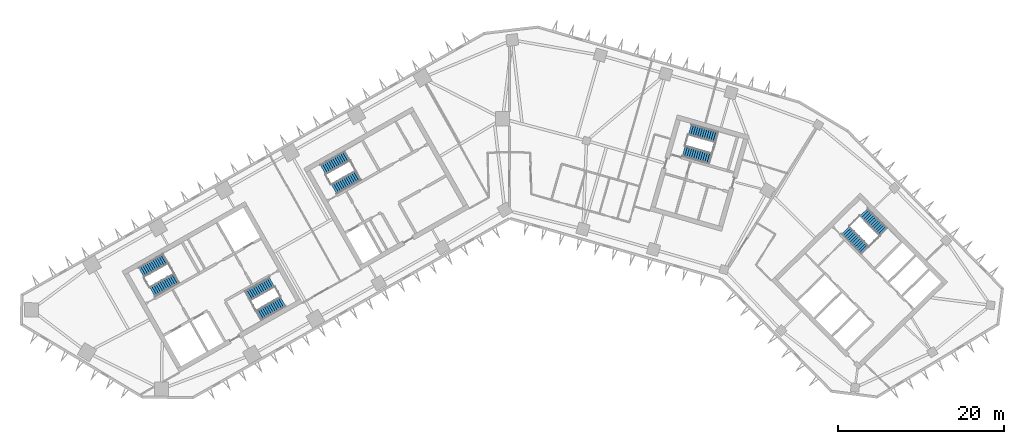
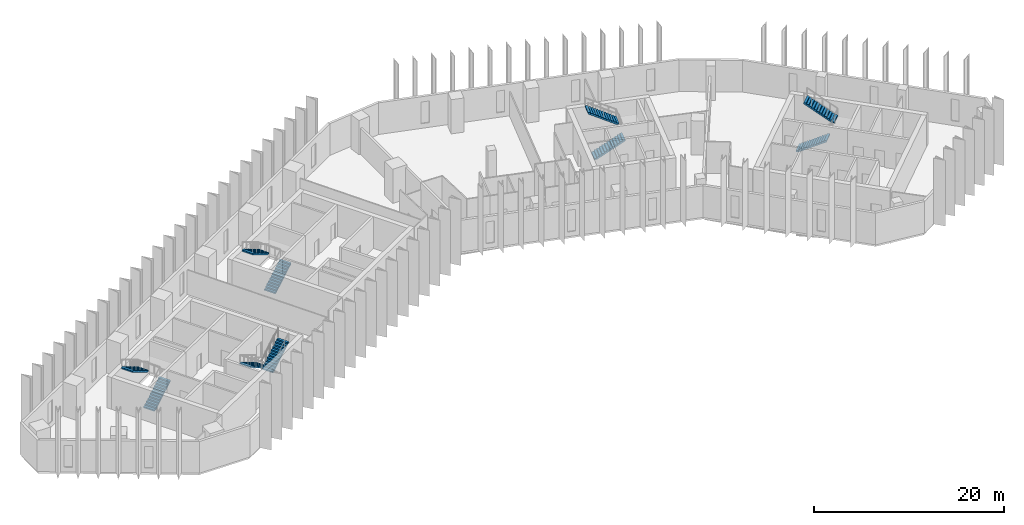
# One storey, part 8 of 11: 10 stair flights, 5 elements without a shape of their own.
"""IFC4 building model written with IfcOpenShell, lengths in metres."""

from ifc_helpers import new_model, si_unit, direction, frame, origin, place, context, subcontext, project, spatial, polyline, outline, extrude, material, type_object, element, aggregate, save


model = new_model("IFC4")

# Units and contexts
model_context = context("Model", 3, precision=1e-05, world=origin(), true_north=direction((0.0, 1.0)))
body_context = subcontext(model_context, "Body", "Model", "MODEL_VIEW")
ifc_project = project(units=[si_unit("LENGTHUNIT", "METRE"), si_unit("AREAUNIT", "SQUARE_METRE"), si_unit("VOLUMEUNIT", "CUBIC_METRE"), si_unit("PLANEANGLEUNIT", "RADIAN"), si_unit("MASSUNIT", "GRAM", prefix="KILO")], contexts=[model_context])

# Site, building, storey
site_placement = place(None, origin())
site = spatial("IfcSite", under=ifc_project, at=site_placement, CompositionType="ELEMENT")
building_placement = place(site_placement, origin())
building = spatial("IfcBuilding", under=site, at=building_placement, Name="Binnacle Exchange Tower", CompositionType="ELEMENT")
storey_placement = place(building_placement, frame((0.0, 0.0, 105.89990234375)))
storey = spatial("IfcBuildingStorey", under=building, at=storey_placement, Name="L21", CompositionType="ELEMENT", Elevation=105.89990234375)

# Stair, stair flights
ifc_material = material(Name="Concrete C35/45", Category="concrete")
stair_type = type_object("IfcStairType", Name="STAIR 26 RISERS 169", PredefinedType="HALF_TURN_STAIR", material=ifc_material)
stair_1_placement = place(storey_placement, origin())
stair_1 = element("IfcStair", 1, at=stair_1_placement, inside=storey, type_object=stair_type, Name="L21 Escape stair A1", PredefinedType="HALF_TURN_STAIR")
stair_flight_type = type_object("IfcStairFlightType", Name="STAIR FLIGHT 169X280", PredefinedType="STRAIGHT", material=ifc_material)
stair_flight_1_placement = place(storey_placement, frame((-42.9541015625, 39.17333984375, 0.0), z_axis=(0.0, 0.0, 1.0), x_axis=(0.870355584213, 0.492423757581, 0.0)))
stair_flight_1 = element("IfcStairFlight", 2, at=stair_flight_1_placement, type_object=stair_flight_type, Name="STA1 flight 1", NumberOfRisers=13, NumberOfTreads=12, PredefinedType="STRAIGHT", RiserHeight=0.169230769, TreadLength=0.28, context=body_context, shape_type="SweptSolid", body=[
    extrude(outline(polyline([(0.0, 0.0), (0.0, 0.169189453125), (0.280029296875, 0.169189453125), (0.280029296875, 0.33837890625), (0.56005859375, 0.33837890625), (0.56005859375, 0.5078125), (0.840087890625, 0.5078125), (0.840087890625, 0.677001953125), (1.1201171875, 0.677001953125), (1.1201171875, 0.84619140625), (1.39990234375, 0.84619140625), (1.39990234375, 1.015380859375), (1.679931640625, 1.015380859375), (1.679931640625, 1.1845703125), (1.9599609375, 1.1845703125), (1.9599609375, 1.353759765625), (2.239990234375, 1.353759765625), (2.239990234375, 1.523193359375), (2.52001953125, 1.523193359375), (2.52001953125, 1.6923828125), (2.800048828125, 1.6923828125), (2.800048828125, 1.861572265625), (3.080078125, 1.861572265625), (3.080078125, 2.03076171875), (3.360107421875, 2.03076171875), (3.360107421875, 2.199951171875), (3.360107421875, 1.855712890625), (0.289794921875, 0.0), (0.0, 0.0)])), frame((0.0, 0.675048828125, 0.0), z_axis=(0.0, -1.0, 0.0), x_axis=(1.0, 0.0, 0.0)), (0.0, 0.0, 1.0), 1.35009765625),
])
stair_flight_2_placement = place(storey_placement, frame((-41.359130859375, 43.177978515625, 2.2001953125), z_axis=(0.0, 0.0, 1.0), x_axis=(-0.870355584213, -0.492423757581, 0.0)))
stair_flight_2 = element("IfcStairFlight", 3, at=stair_flight_2_placement, type_object=stair_flight_type, Name="STA1 flight 2", NumberOfRisers=13, NumberOfTreads=12, PredefinedType="STRAIGHT", RiserHeight=0.169230769, TreadLength=0.28, context=body_context, shape_type="SweptSolid", body=[
    extrude(outline(polyline([(0.0, 0.0), (0.0, 0.169189453125), (0.280029296875, 0.169189453125), (0.280029296875, 0.33837890625), (0.56005859375, 0.33837890625), (0.56005859375, 0.5078125), (0.840087890625, 0.5078125), (0.840087890625, 0.677001953125), (1.1201171875, 0.677001953125), (1.1201171875, 0.84619140625), (1.39990234375, 0.84619140625), (1.39990234375, 1.015380859375), (1.679931640625, 1.015380859375), (1.679931640625, 1.1845703125), (1.9599609375, 1.1845703125), (1.9599609375, 1.353759765625), (2.239990234375, 1.353759765625), (2.239990234375, 1.523193359375), (2.52001953125, 1.523193359375), (2.52001953125, 1.6923828125), (2.800048828125, 1.6923828125), (2.800048828125, 1.861572265625), (3.080078125, 1.861572265625), (3.080078125, 2.03076171875), (3.360107421875, 2.03076171875), (3.360107421875, 2.199951171875), (3.360107421875, 1.855712890625), (0.289794921875, 0.0), (0.0, 0.0)])), frame((0.0, 0.675048828125, 0.0), z_axis=(0.0, -1.0, 0.0), x_axis=(1.0, 0.0, 0.0)), (0.0, 0.0, 1.0), 1.35009765625),
])
aggregate(stair_1, [stair_flight_1, stair_flight_2])

stair_2_placement = place(storey_placement, origin())
stair_2 = element("IfcStair", 4, at=stair_2_placement, inside=storey, type_object=stair_type, Name="L21 Escape stair A2", PredefinedType="HALF_TURN_STAIR")
stair_flight_3_placement = place(storey_placement, frame((-28.5732421875, 40.3583984375, 0.0), z_axis=(0.0, 0.0, 1.0), x_axis=(-0.870355584213, -0.492423757581, 0.0)))
stair_flight_3 = element("IfcStairFlight", 5, at=stair_flight_3_placement, type_object=stair_flight_type, Name="STA2 flight 1", NumberOfRisers=13, NumberOfTreads=12, PredefinedType="STRAIGHT", RiserHeight=0.169230769, TreadLength=0.28, context=body_context, shape_type="SweptSolid", body=[
    extrude(outline(polyline([(0.0, 0.0), (0.0, 0.169189453125), (0.280029296875, 0.169189453125), (0.280029296875, 0.33837890625), (0.56005859375, 0.33837890625), (0.56005859375, 0.5078125), (0.840087890625, 0.5078125), (0.840087890625, 0.677001953125), (1.1201171875, 0.677001953125), (1.1201171875, 0.84619140625), (1.39990234375, 0.84619140625), (1.39990234375, 1.015380859375), (1.679931640625, 1.015380859375), (1.679931640625, 1.1845703125), (1.9599609375, 1.1845703125), (1.9599609375, 1.353759765625), (2.239990234375, 1.353759765625), (2.239990234375, 1.523193359375), (2.52001953125, 1.523193359375), (2.52001953125, 1.6923828125), (2.800048828125, 1.6923828125), (2.800048828125, 1.861572265625), (3.080078125, 1.861572265625), (3.080078125, 2.03076171875), (3.360107421875, 2.03076171875), (3.360107421875, 2.199951171875), (3.360107421875, 1.855712890625), (0.289794921875, 0.0), (0.0, 0.0)])), frame((0.0, 0.675048828125, 0.0), z_axis=(0.0, -1.0, 0.0), x_axis=(1.0, 0.0, 0.0)), (0.0, 0.0, 1.0), 1.35009765625),
])
stair_flight_4_placement = place(storey_placement, frame((-30.16796875, 36.35400390625, 2.2001953125), z_axis=(0.0, 0.0, 1.0), x_axis=(0.870355584213, 0.492423757581, 0.0)))
stair_flight_4 = element("IfcStairFlight", 6, at=stair_flight_4_placement, type_object=stair_flight_type, Name="STA2 flight 2", NumberOfRisers=13, NumberOfTreads=12, PredefinedType="STRAIGHT", RiserHeight=0.169230769, TreadLength=0.28, context=body_context, shape_type="SweptSolid", body=[
    extrude(outline(polyline([(0.0, 0.0), (0.0, 0.169189453125), (0.280029296875, 0.169189453125), (0.280029296875, 0.33837890625), (0.56005859375, 0.33837890625), (0.56005859375, 0.5078125), (0.840087890625, 0.5078125), (0.840087890625, 0.677001953125), (1.1201171875, 0.677001953125), (1.1201171875, 0.84619140625), (1.39990234375, 0.84619140625), (1.39990234375, 1.015380859375), (1.679931640625, 1.015380859375), (1.679931640625, 1.1845703125), (1.9599609375, 1.1845703125), (1.9599609375, 1.353759765625), (2.239990234375, 1.353759765625), (2.239990234375, 1.523193359375), (2.52001953125, 1.523193359375), (2.52001953125, 1.6923828125), (2.800048828125, 1.6923828125), (2.800048828125, 1.861572265625), (3.080078125, 1.861572265625), (3.080078125, 2.03076171875), (3.360107421875, 2.03076171875), (3.360107421875, 2.199951171875), (3.360107421875, 1.855712890625), (0.289794921875, 0.0), (0.0, 0.0)])), frame((0.0, 0.675048828125, 0.0), z_axis=(0.0, -1.0, 0.0), x_axis=(1.0, 0.0, 0.0)), (0.0, 0.0, 1.0), 1.35009765625),
])
aggregate(stair_2, [stair_flight_3, stair_flight_4])

stair_3_placement = place(storey_placement, origin())
stair_3 = element("IfcStair", 7, at=stair_3_placement, inside=storey, type_object=stair_type, Name="L21 Escape stair B1", PredefinedType="HALF_TURN_STAIR")
stair_flight_5_placement = place(storey_placement, frame((40.376708984375, 46.608642578125, 0.0), z_axis=(0.0, 0.0, 1.0), x_axis=(0.70090935144, -0.713250363522, 0.0)))
stair_flight_5 = element("IfcStairFlight", 8, at=stair_flight_5_placement, type_object=stair_flight_type, Name="STB1 flight 1", NumberOfRisers=13, NumberOfTreads=12, PredefinedType="STRAIGHT", RiserHeight=0.169230769, TreadLength=0.28, context=body_context, shape_type="SweptSolid", body=[
    extrude(outline(polyline([(0.0, 0.0), (0.0, 0.169189453125), (0.280029296875, 0.169189453125), (0.280029296875, 0.33837890625), (0.56005859375, 0.33837890625), (0.56005859375, 0.5078125), (0.840087890625, 0.5078125), (0.840087890625, 0.677001953125), (1.1201171875, 0.677001953125), (1.1201171875, 0.84619140625), (1.39990234375, 0.84619140625), (1.39990234375, 1.015380859375), (1.679931640625, 1.015380859375), (1.679931640625, 1.1845703125), (1.9599609375, 1.1845703125), (1.9599609375, 1.353759765625), (2.239990234375, 1.353759765625), (2.239990234375, 1.523193359375), (2.52001953125, 1.523193359375), (2.52001953125, 1.6923828125), (2.800048828125, 1.6923828125), (2.800048828125, 1.861572265625), (3.080078125, 1.861572265625), (3.080078125, 2.03076171875), (3.360107421875, 2.03076171875), (3.360107421875, 2.199951171875), (3.360107421875, 1.855712890625), (0.289794921875, 0.0), (0.0, 0.0)])), frame((0.0, 0.675048828125, 0.0), z_axis=(0.0, -1.0, 0.0), x_axis=(1.0, 0.0, 0.0)), (0.0, 0.0, 1.0), 1.35009765625),
])
stair_flight_6_placement = place(storey_placement, frame((44.94287109375, 46.385009765625, 2.2001953125), z_axis=(0.0, 0.0, 1.0), x_axis=(-0.70090935144, 0.713250363522, 0.0)))
stair_flight_6 = element("IfcStairFlight", 9, at=stair_flight_6_placement, type_object=stair_flight_type, Name="STB1 flight 2", NumberOfRisers=13, NumberOfTreads=12, PredefinedType="STRAIGHT", RiserHeight=0.169230769, TreadLength=0.28, context=body_context, shape_type="SweptSolid", body=[
    extrude(outline(polyline([(0.0, 0.0), (0.0, 0.169189453125), (0.280029296875, 0.169189453125), (0.280029296875, 0.33837890625), (0.56005859375, 0.33837890625), (0.56005859375, 0.5078125), (0.840087890625, 0.5078125), (0.840087890625, 0.677001953125), (1.1201171875, 0.677001953125), (1.1201171875, 0.84619140625), (1.39990234375, 0.84619140625), (1.39990234375, 1.015380859375), (1.679931640625, 1.015380859375), (1.679931640625, 1.1845703125), (1.9599609375, 1.1845703125), (1.9599609375, 1.353759765625), (2.239990234375, 1.353759765625), (2.239990234375, 1.523193359375), (2.52001953125, 1.523193359375), (2.52001953125, 1.6923828125), (2.800048828125, 1.6923828125), (2.800048828125, 1.861572265625), (3.080078125, 1.861572265625), (3.080078125, 2.03076171875), (3.360107421875, 2.03076171875), (3.360107421875, 2.199951171875), (3.360107421875, 1.855712890625), (0.289794921875, 0.0), (0.0, 0.0)])), frame((0.0, 0.675048828125, 0.0), z_axis=(0.0, -1.0, 0.0), x_axis=(1.0, 0.0, 0.0)), (0.0, 0.0, 1.0), 1.35009765625),
])
aggregate(stair_3, [stair_flight_5, stair_flight_6])

stair_4_placement = place(storey_placement, origin())
stair_4 = element("IfcStair", 10, at=stair_4_placement, inside=storey, type_object=stair_type, Name="L21 Escape stair C1", PredefinedType="HALF_TURN_STAIR")
stair_flight_7_placement = place(storey_placement, frame((-21.115966796875, 51.528564453125, 0.0), z_axis=(0.0, 0.0, 1.0), x_axis=(0.870355584213, 0.492423757581, 0.0)))
stair_flight_7 = element("IfcStairFlight", 11, at=stair_flight_7_placement, type_object=stair_flight_type, Name="STC1 flight 1", NumberOfRisers=13, NumberOfTreads=12, PredefinedType="STRAIGHT", RiserHeight=0.169230769, TreadLength=0.28, context=body_context, shape_type="SweptSolid", body=[
    extrude(outline(polyline([(0.0, 0.0), (0.0, 0.169189453125), (0.280029296875, 0.169189453125), (0.280029296875, 0.33837890625), (0.56005859375, 0.33837890625), (0.56005859375, 0.5078125), (0.840087890625, 0.5078125), (0.840087890625, 0.677001953125), (1.1201171875, 0.677001953125), (1.1201171875, 0.84619140625), (1.39990234375, 0.84619140625), (1.39990234375, 1.015380859375), (1.679931640625, 1.015380859375), (1.679931640625, 1.1845703125), (1.9599609375, 1.1845703125), (1.9599609375, 1.353759765625), (2.239990234375, 1.353759765625), (2.239990234375, 1.523193359375), (2.52001953125, 1.523193359375), (2.52001953125, 1.6923828125), (2.800048828125, 1.6923828125), (2.800048828125, 1.861572265625), (3.080078125, 1.861572265625), (3.080078125, 2.03076171875), (3.360107421875, 2.03076171875), (3.360107421875, 2.199951171875), (3.360107421875, 1.855712890625), (0.289794921875, 0.0), (0.0, 0.0)])), frame((0.0, 0.675048828125, 0.0), z_axis=(0.0, -1.0, 0.0), x_axis=(1.0, 0.0, 0.0)), (0.0, 0.0, 1.0), 1.35009765625),
])
stair_flight_8_placement = place(storey_placement, frame((-19.521240234375, 55.533203125, 2.2001953125), z_axis=(0.0, 0.0, 1.0), x_axis=(-0.870355584213, -0.492423757581, 0.0)))
stair_flight_8 = element("IfcStairFlight", 12, at=stair_flight_8_placement, type_object=stair_flight_type, Name="STC1 flight 2", NumberOfRisers=13, NumberOfTreads=12, PredefinedType="STRAIGHT", RiserHeight=0.169230769, TreadLength=0.28, context=body_context, shape_type="SweptSolid", body=[
    extrude(outline(polyline([(0.0, 0.0), (0.0, 0.169189453125), (0.280029296875, 0.169189453125), (0.280029296875, 0.33837890625), (0.56005859375, 0.33837890625), (0.56005859375, 0.5078125), (0.840087890625, 0.5078125), (0.840087890625, 0.677001953125), (1.1201171875, 0.677001953125), (1.1201171875, 0.84619140625), (1.39990234375, 0.84619140625), (1.39990234375, 1.015380859375), (1.679931640625, 1.015380859375), (1.679931640625, 1.1845703125), (1.9599609375, 1.1845703125), (1.9599609375, 1.353759765625), (2.239990234375, 1.353759765625), (2.239990234375, 1.523193359375), (2.52001953125, 1.523193359375), (2.52001953125, 1.6923828125), (2.800048828125, 1.6923828125), (2.800048828125, 1.861572265625), (3.080078125, 1.861572265625), (3.080078125, 2.03076171875), (3.360107421875, 2.03076171875), (3.360107421875, 2.199951171875), (3.360107421875, 1.855712890625), (0.289794921875, 0.0), (0.0, 0.0)])), frame((0.0, 0.675048828125, 0.0), z_axis=(0.0, -1.0, 0.0), x_axis=(1.0, 0.0, 0.0)), (0.0, 0.0, 1.0), 1.35009765625),
])
aggregate(stair_4, [stair_flight_7, stair_flight_8])

stair_5_placement = place(storey_placement, origin())
stair_5 = element("IfcStair", 13, at=stair_5_placement, inside=storey, type_object=stair_type, Name="L21 Escape stair D1", PredefinedType="HALF_TURN_STAIR")
stair_flight_9_placement = place(storey_placement, frame((20.914306640625, 56.109619140625, 0.0), z_axis=(0.0, 0.0, 1.0), x_axis=(0.961261811397, -0.275636953165, 0.0)))
stair_flight_9 = element("IfcStairFlight", 14, at=stair_flight_9_placement, type_object=stair_flight_type, Name="STD1 flight 1", NumberOfRisers=13, NumberOfTreads=12, PredefinedType="STRAIGHT", RiserHeight=0.169230769, TreadLength=0.28, context=body_context, shape_type="SweptSolid", body=[
    extrude(outline(polyline([(0.0, 0.0), (0.0, 0.169189453125), (0.280029296875, 0.169189453125), (0.280029296875, 0.33837890625), (0.56005859375, 0.33837890625), (0.56005859375, 0.5078125), (0.840087890625, 0.5078125), (0.840087890625, 0.677001953125), (1.1201171875, 0.677001953125), (1.1201171875, 0.84619140625), (1.39990234375, 0.84619140625), (1.39990234375, 1.015380859375), (1.679931640625, 1.015380859375), (1.679931640625, 1.1845703125), (1.9599609375, 1.1845703125), (1.9599609375, 1.353759765625), (2.239990234375, 1.353759765625), (2.239990234375, 1.523193359375), (2.52001953125, 1.523193359375), (2.52001953125, 1.6923828125), (2.800048828125, 1.6923828125), (2.800048828125, 1.861572265625), (3.080078125, 1.861572265625), (3.080078125, 2.03076171875), (3.360107421875, 2.03076171875), (3.360107421875, 2.199951171875), (3.360107421875, 1.855712890625), (0.289794921875, 0.0), (0.0, 0.0)])), frame((0.0, 0.675048828125, 0.0), z_axis=(0.0, -1.0, 0.0), x_axis=(1.0, 0.0, 0.0)), (0.0, 0.0, 1.0), 1.35009765625),
])
stair_flight_10_placement = place(storey_placement, frame((24.888427734375, 57.77880859375, 2.2001953125), z_axis=(0.0, 0.0, 1.0), x_axis=(-0.961261811397, 0.275636953165, 0.0)))
stair_flight_10 = element("IfcStairFlight", 15, at=stair_flight_10_placement, type_object=stair_flight_type, Name="STD1 flight 2", NumberOfRisers=13, NumberOfTreads=12, PredefinedType="STRAIGHT", RiserHeight=0.169230769, TreadLength=0.28, context=body_context, shape_type="SweptSolid", body=[
    extrude(outline(polyline([(0.0, 0.0), (0.0, 0.169189453125), (0.280029296875, 0.169189453125), (0.280029296875, 0.33837890625), (0.56005859375, 0.33837890625), (0.56005859375, 0.5078125), (0.840087890625, 0.5078125), (0.840087890625, 0.677001953125), (1.1201171875, 0.677001953125), (1.1201171875, 0.84619140625), (1.39990234375, 0.84619140625), (1.39990234375, 1.015380859375), (1.679931640625, 1.015380859375), (1.679931640625, 1.1845703125), (1.9599609375, 1.1845703125), (1.9599609375, 1.353759765625), (2.239990234375, 1.353759765625), (2.239990234375, 1.523193359375), (2.52001953125, 1.523193359375), (2.52001953125, 1.6923828125), (2.800048828125, 1.6923828125), (2.800048828125, 1.861572265625), (3.080078125, 1.861572265625), (3.080078125, 2.03076171875), (3.360107421875, 2.03076171875), (3.360107421875, 2.199951171875), (3.360107421875, 1.855712890625), (0.289794921875, 0.0), (0.0, 0.0)])), frame((0.0, 0.675048828125, 0.0), z_axis=(0.0, -1.0, 0.0), x_axis=(1.0, 0.0, 0.0)), (0.0, 0.0, 1.0), 1.35009765625),
])
aggregate(stair_5, [stair_flight_9, stair_flight_10])

save(model, "model.ifc")
